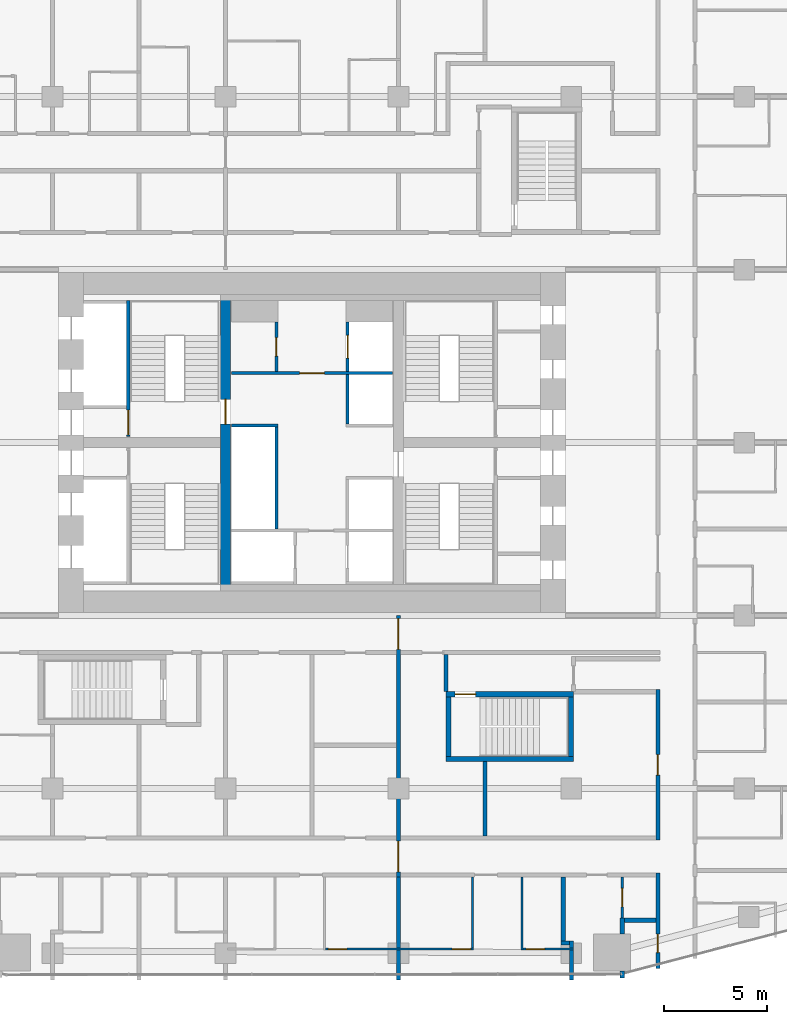
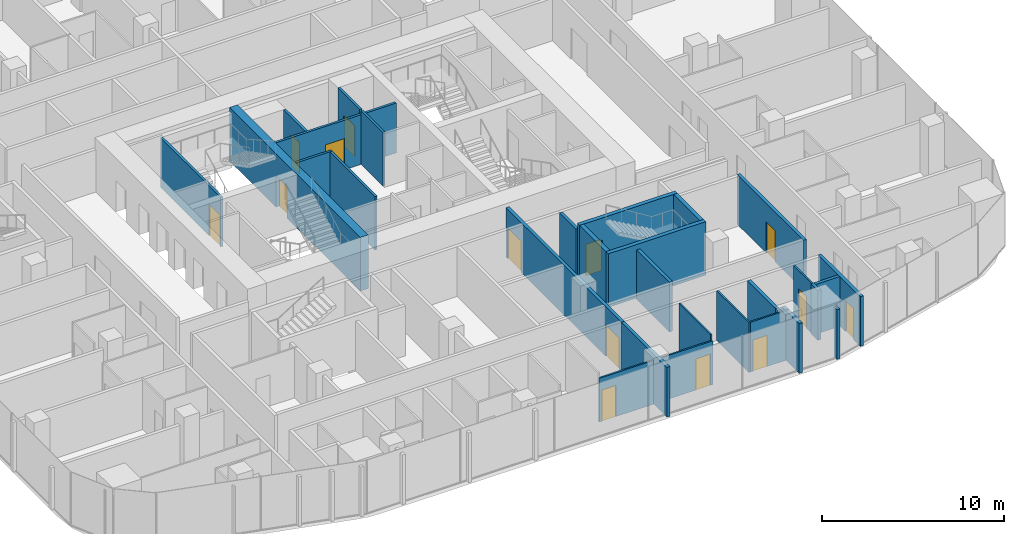
# One storey, part 19 of 26: 29 walls, 14 doors, 14 openings.
"""IFC4 building model written with IfcOpenShell, lengths in metres."""

import ifcopenshell
import ifcopenshell.guid

model = None  # the IFC model being written
_history = None  # IfcOwnerHistory: only IFC2X3 demands one
_inside = {}  # id of a spatial element -> (the spatial element, [elements in it])
_under = {}  # id of a project, library or spatial element -> (it, [spatial elements below it])
_declared = {}  # id of a project -> (the project, [libraries it declares])
_typed = {}  # id of a type object -> (the type object, [elements of that type])
_made_of = {}  # id of a material, layer set ... -> (it, [elements and type objects made of it])


def new_model(schema):
    """Start an empty IFC model of exactly this schema.

    Asked for "IFC4X3", IfcOpenShell would pick the latest addendum, in which some entities
    have other attributes; the version numbers below select the first issue.
    IFC2X3 requires an IfcOwnerHistory on every rooted entity: one is made here for all.
    """
    global model, _history
    if schema == "IFC4X3":
        model = ifcopenshell.file(schema_version=(4, 3, 0, 0))
    else:
        model = ifcopenshell.file(schema=schema)
    _inside.clear()
    _under.clear()
    _declared.clear()
    _typed.clear()
    _made_of.clear()
    _history = None
    if model.schema == "IFC2X3":
        org = make("IfcOrganization", Name="unknown")
        user = make(
            "IfcPersonAndOrganization",
            ThePerson=make("IfcPerson", FamilyName="unknown"),
            TheOrganization=org,
        )
        app = make(
            "IfcApplication",
            ApplicationDeveloper=org,
            Version="unknown",
            ApplicationFullName="unknown",
            ApplicationIdentifier="unknown",
        )
        _history = make(
            "IfcOwnerHistory",
            OwningUser=user,
            OwningApplication=app,
            ChangeAction="ADDED",
            CreationDate=0,
        )
    return model


def make(cls, **values):
    """One entity of the class cls with the attributes given. An attribute that is None is left unset."""
    return model.create_entity(
        cls, **{name: value for name, value in values.items() if value is not None}
    )


def rooted(cls, **values):
    """An entity with a GlobalId (a new one), such as an element, a storey or a relation."""
    return make(cls, GlobalId=ifcopenshell.guid.new(), OwnerHistory=_history, **values)


def si_unit(unit_type, name, prefix=None):
    """IfcSIUnit, for example si_unit("LENGTHUNIT", "METRE", prefix="MILLI")."""
    return make("IfcSIUnit", UnitType=unit_type, Prefix=prefix, Name=name)


def assignment(units):
    """IfcUnitAssignment: the units of a project."""
    return None if units is None else make("IfcUnitAssignment", Units=units)


def point(xyz):
    """IfcCartesianPoint."""
    return None if xyz is None else make("IfcCartesianPoint", Coordinates=xyz)


def direction(xyz):
    """IfcDirection."""
    return None if xyz is None else make("IfcDirection", DirectionRatios=xyz)


def frame(location, z_axis=None, x_axis=None):
    """IfcAxis2Placement3D, a coordinate frame: its origin and axes. An axis left out is left unset."""
    return make(
        "IfcAxis2Placement3D",
        Location=point(location),
        Axis=direction(z_axis),
        RefDirection=direction(x_axis),
    )


def frame_2d(location, x_axis=None):
    """IfcAxis2Placement2D, a coordinate frame in the plane: its origin and x axis."""
    return make(
        "IfcAxis2Placement2D", Location=point(location), RefDirection=direction(x_axis)
    )


def origin():
    """The frame at (0, 0, 0) with its axes left unset."""
    return frame((0.0, 0.0, 0.0))


def place(relative_to, where):
    """IfcLocalPlacement: puts the frame where relative to a parent placement (None: the world)."""
    return make(
        "IfcLocalPlacement", PlacementRelTo=relative_to, RelativePlacement=where
    )


def context(
    kind, dimensions, precision=None, world=None, true_north=None, identifier=None
):
    """IfcGeometricRepresentationContext, for example the 3D "Model" context."""
    return make(
        "IfcGeometricRepresentationContext",
        ContextIdentifier=identifier,
        ContextType=kind,
        CoordinateSpaceDimension=dimensions,
        Precision=precision,
        WorldCoordinateSystem=world,
        TrueNorth=true_north,
    )


def subcontext(parent, identifier, kind, view, scale=None):
    """IfcGeometricRepresentationSubContext, for example "Body" below "Model"."""
    return make(
        "IfcGeometricRepresentationSubContext",
        ContextIdentifier=identifier,
        ContextType=kind,
        ParentContext=parent,
        TargetScale=scale,
        TargetView=view,
    )


def project(units=None, contexts=None):
    """IfcProject with its units and contexts."""
    return rooted(
        "IfcProject",
        Name="project",
        RepresentationContexts=contexts,
        UnitsInContext=assignment(units),
    )


def spatial(cls, under=None, at=None, **own):
    """A site, building, storey or space (cls), placed at a placement, below another one or the project."""
    s = rooted(cls, ObjectPlacement=at, **own)
    if under is not None:
        _under.setdefault(under.id(), (under, []))[1].append(s)
    return s


def profile(cls, at=None, kind="AREA", **sizes):
    """A parametric profile (cls). Its sizes go by their IFC names, for example OverallWidth=200.0."""
    return make(cls, ProfileType=kind, Position=at, **sizes)


def rectangle(**sizes):
    """IfcRectangleProfileDef."""
    return profile("IfcRectangleProfileDef", **sizes)


def extrude(swept, where, along, depth):
    """IfcExtrudedAreaSolid: the profile swept, set in the frame where, extruded along a direction by depth."""
    return make(
        "IfcExtrudedAreaSolid",
        SweptArea=swept,
        Position=where,
        ExtrudedDirection=direction(along),
        Depth=depth,
    )


def shape(context_of_items, identifier, shape_type, items):
    """IfcShapeRepresentation: the items that make up one representation, for example the "Body"."""
    return make(
        "IfcShapeRepresentation",
        ContextOfItems=context_of_items,
        RepresentationIdentifier=identifier,
        RepresentationType=shape_type,
        Items=items,
    )


def material(Name=None, Category=None):
    """IfcMaterial."""
    return make("IfcMaterial", Name=Name, Category=Category)


def layer(
    of_material, thickness, ventilated=None, Name=None, Category=None, Priority=None
):
    """IfcMaterialLayer: one layer of a wall or slab, of a material (None: an air gap)."""
    return make(
        "IfcMaterialLayer",
        Material=of_material,
        LayerThickness=thickness,
        IsVentilated=ventilated,
        Name=Name,
        Category=Category,
        Priority=Priority,
    )


def layer_set(layers, Name=None):
    """IfcMaterialLayerSet."""
    return make("IfcMaterialLayerSet", MaterialLayers=layers, LayerSetName=Name)


def made_of(thing, what):
    """Note that an element or type object is made of a material, layer set ...; save() writes the relation."""
    if what is not None:
        _made_of.setdefault(what.id(), (what, []))[1].append(thing)
    return thing


def type_object(cls, material=None, **own):
    """A type object (cls), such as IfcWallType, which elements share."""
    return made_of(rooted(cls, **own), material)


def element(
    cls,
    number,
    at=None,
    inside=None,
    cuts=None,
    type_object=None,
    material=None,
    context=None,
    identifier="Body",
    shape_type=None,
    held_by="IfcProductDefinitionShape",
    body=None,
    shapes=None,
    **own,
):
    """One element of the class cls, such as IfcWall. Its Tag is "e" and its number.

    at: its placement. inside: the storey or other place that contains it. cuts: it is an
    opening in that element (IfcRelVoidsElement). A single representation is given by context,
    identifier, shape_type and body (its items); several are given by shapes. held_by: the class
    of the entity that holds the representations. save() writes the other relations.
    """
    e = rooted(cls, Tag="e%d" % number, ObjectPlacement=at, **own)
    if body is not None:
        shapes = [shape(context, identifier, shape_type, body)]
    if shapes is not None:
        e.Representation = make(held_by, Representations=shapes)
    if inside is not None:
        _inside.setdefault(inside.id(), (inside, []))[1].append(e)
    if cuts is not None:
        rooted(
            "IfcRelVoidsElement", RelatingBuildingElement=cuts, RelatedOpeningElement=e
        )
    if type_object is not None:
        _typed.setdefault(type_object.id(), (type_object, []))[1].append(e)
    return made_of(e, material)


def fill(opening, filler):
    """IfcRelFillsElement: the door or window that sits in an opening."""
    return rooted(
        "IfcRelFillsElement",
        RelatingOpeningElement=opening,
        RelatedBuildingElement=filler,
    )


def aggregate(whole, parts):
    """IfcRelAggregates: a whole, such as a stair, and the parts it consists of."""
    return rooted("IfcRelAggregates", RelatingObject=whole, RelatedObjects=parts)


def save(model, path):
    """Write the relations noted so far, then the file.

    IfcRelAggregates (storeys below a building ...), IfcRelContainedInSpatialStructure (elements
    in a storey), IfcRelDefinesByType, IfcRelAssociatesMaterial and IfcRelDeclares: one each for
    every whole, place, type object, material and project.
    """
    for whole, parts in _under.values():
        aggregate(whole, parts)
    for where, things in _inside.values():
        rooted(
            "IfcRelContainedInSpatialStructure",
            RelatedElements=things,
            RelatingStructure=where,
        )
    for kind, things in _typed.values():
        rooted("IfcRelDefinesByType", RelatedObjects=things, RelatingType=kind)
    for what, things in _made_of.values():
        rooted("IfcRelAssociatesMaterial", RelatedObjects=things, RelatingMaterial=what)
    for by, libraries in _declared.values():
        rooted("IfcRelDeclares", RelatingContext=by, RelatedDefinitions=libraries)
    model.write(path)


model = new_model("IFC4")

# Units and contexts
model_context = context("Model", 3, precision=1e-05, world=origin(), true_north=direction((0.0, 1.0)))
body_context = subcontext(model_context, "Body", "Model", "MODEL_VIEW")
ifc_project = project(units=[si_unit("LENGTHUNIT", "METRE"), si_unit("AREAUNIT", "SQUARE_METRE"), si_unit("VOLUMEUNIT", "CUBIC_METRE"), si_unit("PLANEANGLEUNIT", "RADIAN"), si_unit("MASSUNIT", "GRAM", prefix="KILO")], contexts=[model_context])

# Site, building, storey
site_placement = place(None, origin())
site = spatial("IfcSite", under=ifc_project, at=site_placement, CompositionType="ELEMENT")
building_placement = place(site_placement, origin())
building = spatial("IfcBuilding", under=site, at=building_placement, Name="Marenta Gate Hotel Tower", CompositionType="ELEMENT")
storey_placement = place(building_placement, frame((0.0, 0.0, 58.10009765625)))
storey = spatial("IfcBuildingStorey", under=building, at=storey_placement, Name="L12", CompositionType="ELEMENT", Elevation=58.10009765625)

# Wall
ifc_material_1 = material(Name="Concrete blockwork", Category="masonry")
ifc_layer_1 = layer(ifc_material_1, 0.199951171875)
ifc_layer_set_1 = layer_set([ifc_layer_1], Name="Concrete blockwork")
wall_type_1 = type_object("IfcWallType", Name="Compartment wall 200 REI 180", PredefinedType="PARTITIONING", material=ifc_layer_set_1)
wall_1_placement = place(storey_placement, frame((4.199951171875, -17.699951171875, 0.0), z_axis=(0.0, 0.0, 1.0), x_axis=(0.0, 1.0, 0.0)))
element("IfcWall", 1, at=wall_1_placement, inside=storey, type_object=wall_type_1, Name="L12-PTN-W052", PredefinedType="PARTITIONING", context=body_context, shape_type="SweptSolid", body=[
    extrude(rectangle(XDim=5.0, YDim=0.199951171875, at=frame_2d((2.5, 0.0))), origin(), (0.0, 0.0, 1.0), 3.33984375),
])

# Wall, openings, doors
wall_2_placement = place(storey_placement, frame((4.199951171875, -12.699951171875, 0.0), z_axis=(0.0, 0.0, 1.0), x_axis=(0.0, 1.0, 0.0)))
wall_2 = element("IfcWall", 2, at=wall_2_placement, inside=storey, type_object=wall_type_1, Name="L12-PTN-W053", PredefinedType="PARTITIONING", context=body_context, shape_type="SweptSolid", body=[
    extrude(rectangle(XDim=12.699951171875, YDim=0.199951171875, at=frame_2d((6.35009765625, 0.0))), origin(), (0.0, 0.0, 1.0), 3.33984375),
])
opening_1_placement = place(wall_2_placement, frame((11.050048828125, 0.0, 0.0)))
opening_1 = element("IfcOpeningElement", 3, at=opening_1_placement, cuts=wall_2, Name="Opening G04-FD3", PredefinedType="OPENING", context=body_context, shape_type="SweptSolid", body=[
    extrude(rectangle(XDim=1.5, YDim=2.10009765625, at=frame_2d((0.75, 1.050048828125))), frame((0.0, 0.10009765625, 0.0), z_axis=(0.0, -1.0, 0.0), x_axis=(1.0, 0.0, 0.0)), (0.0, 0.0, 1.0), 0.199951171875),
])
opening_2_placement = place(wall_2_placement, frame((0.25, 0.0, 0.0)))
opening_2 = element("IfcOpeningElement", 4, at=opening_2_placement, cuts=wall_2, Name="Opening G04-FD4", PredefinedType="OPENING", context=body_context, shape_type="SweptSolid", body=[
    extrude(rectangle(XDim=1.5, YDim=2.10009765625, at=frame_2d((0.75, 1.050048828125))), frame((0.0, 0.10009765625, 0.0), z_axis=(0.0, -1.0, 0.0), x_axis=(1.0, 0.0, 0.0)), (0.0, 0.0, 1.0), 0.199951171875),
])
ifc_material_2 = material(Name="Hollow steel door set", Category="steel")
door_type_1 = type_object("IfcDoorType", Name="Compartment fire door 1500x2100 EI 60", OperationType="DOUBLE_DOOR_DOUBLE_SWING", PredefinedType="DOOR", material=ifc_material_2)
door_1_placement = place(opening_1_placement, origin())
door_1 = element("IfcDoor", 5, at=door_1_placement, inside=storey, type_object=door_type_1, Name="L12-PD-FD03", OperationType="DOUBLE_DOOR_DOUBLE_SWING", OverallHeight=2.10009765625, OverallWidth=1.5, PredefinedType="DOOR", context=body_context, shape_type="SweptSolid", body=[
    extrude(rectangle(XDim=1.5, YDim=2.10009765625, at=frame_2d((0.75, 1.050048828125))), frame((0.0, 0.02490234375, 0.0), z_axis=(0.0, -1.0, 0.0), x_axis=(1.0, 0.0, 0.0)), (0.0, 0.0, 1.0), 0.050048828125),
])
fill(opening_1, door_1)
door_2_placement = place(opening_2_placement, origin())
door_2 = element("IfcDoor", 6, at=door_2_placement, inside=storey, type_object=door_type_1, Name="L12-PD-FD04", OperationType="DOUBLE_DOOR_DOUBLE_SWING", OverallHeight=2.10009765625, OverallWidth=1.5, PredefinedType="DOOR", context=body_context, shape_type="SweptSolid", body=[
    extrude(rectangle(XDim=1.5, YDim=2.10009765625, at=frame_2d((0.75, 1.050048828125))), frame((0.0, 0.02490234375, 0.0), z_axis=(0.0, -1.0, 0.0), x_axis=(1.0, 0.0, 0.0)), (0.0, 0.0, 1.0), 0.050048828125),
])
fill(opening_2, door_2)

# Wall, opening, door
ifc_material_3 = material(Name="Concrete blockwork", Category="masonry")
ifc_layer_2 = layer(ifc_material_3, 0.14990234375)
ifc_layer_set_2 = layer_set([ifc_layer_2], Name="Concrete blockwork")
wall_type_2 = type_object("IfcWallType", Name="Core lobby partition 150 REI 180", PredefinedType="PARTITIONING", material=ifc_layer_set_2)
wall_3_placement = place(storey_placement, frame((-3.89990234375, 11.77490234375, 0.0), z_axis=(0.0, 0.0, 1.0), x_axis=(1.0, 0.0, 0.0)))
wall_3 = element("IfcWall", 7, at=wall_3_placement, inside=storey, type_object=wall_type_2, Name="L12-CP-CW-N", PredefinedType="PARTITIONING", context=body_context, shape_type="SweptSolid", body=[
    extrude(rectangle(XDim=7.7998046875, YDim=0.14990234375, at=frame_2d((3.89990234375, 0.0))), origin(), (0.0, 0.0, 1.0), 3.33984375),
])
opening_3_placement = place(wall_3_placement, frame((3.300048828125, 0.0, 0.0)))
opening_3 = element("IfcOpeningElement", 8, at=opening_3_placement, cuts=wall_3, Name="Opening FD-FFN", PredefinedType="OPENING", context=body_context, shape_type="SweptSolid", body=[
    extrude(rectangle(XDim=1.199951171875, YDim=2.10009765625, at=frame_2d((0.60009765625, 1.050048828125))), frame((0.0, 0.074951171875, 0.0), z_axis=(0.0, -1.0, 0.0), x_axis=(1.0, 0.0, 0.0)), (0.0, 0.0, 1.0), 0.14990234375),
])
ifc_material_4 = material(Name="Steel", Category="steel")
door_type_2 = type_object("IfcDoorType", Name="Core lobby door 1200x2100 FD60", OperationType="SINGLE_SWING_LEFT", PredefinedType="DOOR", material=ifc_material_4)
door_3_placement = place(opening_3_placement, origin())
door_3 = element("IfcDoor", 9, at=door_3_placement, inside=storey, type_object=door_type_2, Name="FD-FFN", OperationType="SINGLE_SWING_LEFT", OverallHeight=2.10009765625, OverallWidth=1.199951171875, PredefinedType="DOOR", context=body_context, shape_type="SweptSolid", body=[
    extrude(rectangle(XDim=1.199951171875, YDim=2.10009765625, at=frame_2d((0.60009765625, 1.050048828125))), frame((0.0, 0.02490234375, 0.0), z_axis=(0.0, -1.0, 0.0), x_axis=(1.0, 0.0, 0.0)), (0.0, 0.0, 1.0), 0.050048828125),
])
fill(opening_3, door_3)

ifc_material_5 = material(Name="Concrete blockwork", Category="masonry")
ifc_layer_3 = layer(ifc_material_5, 0.14990234375)
ifc_layer_set_3 = layer_set([ifc_layer_3], Name="Concrete blockwork")
wall_type_3 = type_object("IfcWallType", Name="Core room partition 150 REI 180", PredefinedType="PARTITIONING", material=ifc_layer_set_3)
wall_4_placement = place(storey_placement, frame((-1.72509765625, 11.85009765625, 0.0), z_axis=(0.0, 0.0, 1.0), x_axis=(0.0, 1.0, 0.0)))
wall_4 = element("IfcWall", 10, at=wall_4_placement, inside=storey, type_object=wall_type_3, Name="L12-CP-CW-W-riser-front", PredefinedType="PARTITIONING", context=body_context, shape_type="SweptSolid", body=[
    extrude(rectangle(XDim=2.39990234375, YDim=0.14990234375, at=frame_2d((1.199951171875, 0.0))), origin(), (0.0, 0.0, 1.0), 3.33984375),
])
opening_4_placement = place(wall_4_placement, frame((0.75, 0.0, 0.0)))
opening_4 = element("IfcOpeningElement", 11, at=opening_4_placement, cuts=wall_4, Name="Opening RD-CRISER", PredefinedType="OPENING", context=body_context, shape_type="SweptSolid", body=[
    extrude(rectangle(XDim=0.89990234375, YDim=2.10009765625, at=frame_2d((0.449951171875, 1.050048828125))), frame((0.0, 0.074951171875, 0.0), z_axis=(0.0, -1.0, 0.0), x_axis=(1.0, 0.0, 0.0)), (0.0, 0.0, 1.0), 0.14990234375),
])
ifc_material_6 = material(Name="Steel", Category="steel")
door_type_3 = type_object("IfcDoorType", Name="Core riser door 900x2100 FD60", OperationType="SINGLE_SWING_LEFT", PredefinedType="DOOR", material=ifc_material_6)
door_4_placement = place(opening_4_placement, origin())
door_4 = element("IfcDoor", 12, at=door_4_placement, inside=storey, type_object=door_type_3, Name="RD-CRISER", OperationType="SINGLE_SWING_LEFT", OverallHeight=2.10009765625, OverallWidth=0.89990234375, PredefinedType="DOOR", context=body_context, shape_type="SweptSolid", body=[
    extrude(rectangle(XDim=0.89990234375, YDim=2.10009765625, at=frame_2d((0.449951171875, 1.050048828125))), frame((0.0, 0.02490234375, 0.0), z_axis=(0.0, -1.0, 0.0), x_axis=(1.0, 0.0, 0.0)), (0.0, 0.0, 1.0), 0.050048828125),
])
fill(opening_4, door_4)

# Walls
ifc_material_7 = material(Name="Concrete C40", Category="concrete")
ifc_layer_4 = layer(ifc_material_7, 0.14990234375)
ifc_layer_set_4 = layer_set([ifc_layer_4], Name="Concrete C40")
wall_type_4 = type_object("IfcWallType", Name="Core shaft wall 150 REI 180", PredefinedType="SHEAR", material=ifc_layer_set_4)
wall_5_placement = place(storey_placement, frame((-1.72509765625, 4.199951171875, 0.0), z_axis=(0.0, 0.0, 1.0), x_axis=(0.0, 1.0, 0.0)))
element("IfcWall", 13, at=wall_5_placement, inside=storey, type_object=wall_type_4, Name="L12-SHF-CW-W-front", PredefinedType="SHEAR", context=body_context, shape_type="SweptSolid", body=[
    extrude(rectangle(XDim=4.949951171875, YDim=0.14990234375, at=frame_2d((2.47509765625, 0.0))), origin(), (0.0, 0.0, 1.0), 3.599853515625),
])
wall_6_placement = place(storey_placement, frame((-3.89990234375, 9.22509765625, 0.0), z_axis=(0.0, 0.0, 1.0), x_axis=(1.0, 0.0, 0.0)))
element("IfcWall", 14, at=wall_6_placement, inside=storey, type_object=wall_type_4, Name="L12-SHF-CW-W-sep", PredefinedType="SHEAR", context=body_context, shape_type="SweptSolid", body=[
    extrude(rectangle(XDim=2.25, YDim=0.14990234375, at=frame_2d((1.125, 0.0))), origin(), (0.0, 0.0, 1.0), 3.599853515625),
])

# Wall, opening, door
wall_7_placement = place(storey_placement, frame((1.72509765625, 11.85009765625, 0.0), z_axis=(0.0, 0.0, 1.0), x_axis=(0.0, 1.0, 0.0)))
wall_7 = element("IfcWall", 15, at=wall_7_placement, inside=storey, type_object=wall_type_4, Name="L12-SHF-CE-N-front2", PredefinedType="SHEAR", context=body_context, shape_type="SweptSolid", body=[
    extrude(rectangle(XDim=2.39990234375, YDim=0.14990234375, at=frame_2d((1.199951171875, 0.0))), origin(), (0.0, 0.0, 1.0), 3.599853515625),
])
opening_5_placement = place(wall_7_placement, frame((0.64990234375, 0.0, 0.0)))
opening_5 = element("IfcOpeningElement", 16, at=opening_5_placement, cuts=wall_7, Name="Opening LD-FF2", PredefinedType="OPENING", context=body_context, shape_type="SweptSolid", body=[
    extrude(rectangle(XDim=1.10009765625, YDim=2.10009765625, at=frame_2d((0.550048828125, 1.050048828125))), frame((0.0, 0.074951171875, 0.0), z_axis=(0.0, -1.0, 0.0), x_axis=(1.0, 0.0, 0.0)), (0.0, 0.0, 1.0), 0.14990234375),
])
ifc_material_8 = material(Name="Steel", Category="steel")
door_type_4 = type_object("IfcDoorType", Name="Core lift landing door 1100x2100 E 60", OperationType="SLIDING_TO_LEFT", PredefinedType="DOOR", material=ifc_material_8)
door_5_placement = place(opening_5_placement, origin())
door_5 = element("IfcDoor", 17, at=door_5_placement, inside=storey, type_object=door_type_4, Name="LD-FF2", OperationType="SLIDING_TO_LEFT", OverallHeight=2.10009765625, OverallWidth=1.10009765625, PredefinedType="DOOR", context=body_context, shape_type="SweptSolid", body=[
    extrude(rectangle(XDim=1.10009765625, YDim=2.10009765625, at=frame_2d((0.550048828125, 1.050048828125))), frame((0.0, 0.02490234375, 0.0), z_axis=(0.0, -1.0, 0.0), x_axis=(1.0, 0.0, 0.0)), (0.0, 0.0, 1.0), 0.050048828125),
])
fill(opening_5, door_5)

# Wall
wall_8_placement = place(storey_placement, frame((1.72509765625, 9.300048828125, 0.0), z_axis=(0.0, 0.0, 1.0), x_axis=(0.0, 1.0, 0.0)))
element("IfcWall", 18, at=wall_8_placement, inside=storey, type_object=wall_type_4, Name="L12-SHF-CE-front-2", PredefinedType="SHEAR", context=body_context, shape_type="SweptSolid", body=[
    extrude(rectangle(XDim=2.39990234375, YDim=0.14990234375, at=frame_2d((1.199951171875, 0.0))), origin(), (0.0, 0.0, 1.0), 3.599853515625),
])

# Wall, opening, door
ifc_material_9 = material(Name="Concrete C40", Category="concrete")
ifc_layer_5 = layer(ifc_material_9, 0.14990234375)
ifc_layer_set_5 = layer_set([ifc_layer_5], Name="Concrete C40")
wall_type_5 = type_object("IfcWallType", Name="Core stair enclosure wall 150 REI 180", PredefinedType="SHEAR", material=ifc_layer_set_5)
wall_9_placement = place(storey_placement, frame((-8.925048828125, 8.699951171875, 0.0), z_axis=(0.0, 0.0, 1.0), x_axis=(0.0, 1.0, 0.0)))
wall_9 = element("IfcWall", 19, at=wall_9_placement, inside=storey, type_object=wall_type_5, Name="L12-SHF-SW-WN-3", PredefinedType="SHEAR", context=body_context, shape_type="SweptSolid", body=[
    extrude(rectangle(XDim=6.60009765625, YDim=0.14990234375, at=frame_2d((3.300048828125, 0.0))), origin(), (0.0, 0.0, 1.0), 3.33984375),
])
opening_6_placement = place(wall_9_placement, frame((0.074951171875, 0.0, 0.0)))
opening_6 = element("IfcOpeningElement", 20, at=opening_6_placement, cuts=wall_9, Name="Opening SD-WN", PredefinedType="OPENING", context=body_context, shape_type="SweptSolid", body=[
    extrude(rectangle(XDim=1.199951171875, YDim=2.10009765625, at=frame_2d((0.60009765625, 1.050048828125))), frame((0.0, 0.074951171875, 0.0), z_axis=(0.0, -1.0, 0.0), x_axis=(1.0, 0.0, 0.0)), (0.0, 0.0, 1.0), 0.14990234375),
])
ifc_material_10 = material(Name="Steel", Category="steel")
door_type_5 = type_object("IfcDoorType", Name="Core stair door 1200x2100 FD60", OperationType="SINGLE_SWING_LEFT", PredefinedType="DOOR", material=ifc_material_10)
door_6_placement = place(opening_6_placement, origin())
door_6 = element("IfcDoor", 21, at=door_6_placement, inside=storey, type_object=door_type_5, Name="SD-WN", OperationType="SINGLE_SWING_LEFT", OverallHeight=2.10009765625, OverallWidth=1.199951171875, PredefinedType="DOOR", context=body_context, shape_type="SweptSolid", body=[
    extrude(rectangle(XDim=1.199951171875, YDim=2.10009765625, at=frame_2d((0.60009765625, 1.050048828125))), frame((0.0, 0.02490234375, 0.0), z_axis=(0.0, -1.0, 0.0), x_axis=(1.0, 0.0, 0.0)), (0.0, 0.0, 1.0), 0.050048828125),
])
fill(opening_6, door_6)

ifc_material_11 = material(Name="Concrete C80", Category="concrete")
ifc_layer_6 = layer(ifc_material_11, 0.5)
ifc_layer_set_6 = layer_set([ifc_layer_6], Name="Concrete C80")
wall_type_6 = type_object("IfcWallType", Name="Core web 500 C80", PredefinedType="SHEAR", material=ifc_layer_set_6)
wall_10_placement = place(storey_placement, frame((-4.199951171875, 1.199951171875, 0.0), z_axis=(0.0, 0.0, 1.0), x_axis=(0.0, 1.0, 0.0)))
wall_10 = element("IfcWall", 22, at=wall_10_placement, inside=storey, type_object=wall_type_6, Name="L12-CORE-W1", PredefinedType="SHEAR", context=body_context, shape_type="SweptSolid", body=[
    extrude(rectangle(XDim=14.400146484375, YDim=0.5, at=frame_2d((7.2001953125, 0.0))), origin(), (0.0, 0.0, 1.0), 3.599853515625),
])
opening_7_placement = place(wall_10_placement, frame((8.10009765625, 0.0, 0.0)))
opening_7 = element("IfcOpeningElement", 23, at=opening_7_placement, cuts=wall_10, Name="Opening WD-W", PredefinedType="OPENING", context=body_context, shape_type="SweptSolid", body=[
    extrude(rectangle(XDim=1.199951171875, YDim=2.10009765625, at=frame_2d((0.60009765625, 1.050048828125))), frame((0.0, 0.25, 0.0), z_axis=(0.0, -1.0, 0.0), x_axis=(1.0, 0.0, 0.0)), (0.0, 0.0, 1.0), 0.5),
])
door_7_placement = place(opening_7_placement, origin())
door_7 = element("IfcDoor", 24, at=door_7_placement, inside=storey, type_object=door_type_5, Name="WD-W", OperationType="SINGLE_SWING_LEFT", OverallHeight=2.10009765625, OverallWidth=1.199951171875, PredefinedType="DOOR", context=body_context, shape_type="SweptSolid", body=[
    extrude(rectangle(XDim=1.199951171875, YDim=2.10009765625, at=frame_2d((0.60009765625, 1.050048828125))), frame((0.0, 0.02490234375, 0.0), z_axis=(0.0, -1.0, 0.0), x_axis=(1.0, 0.0, 0.0)), (0.0, 0.0, 1.0), 0.050048828125),
])
fill(opening_7, door_7)

# Wall
ifc_material_12 = material(Name="Concrete C40", Category="concrete")
ifc_layer_7 = layer(ifc_material_12, 0.25)
ifc_layer_set_7 = layer_set([ifc_layer_7], Name="Concrete C40")
wall_type_7 = type_object("IfcWallType", Name="Remote stair enclosure wall 250 REI 180", PredefinedType="SHEAR", material=ifc_layer_set_7)
wall_11_placement = place(storey_placement, frame((6.5, -6.97509765625, 0.099853515625), z_axis=(0.0, 0.0, 1.0), x_axis=(1.0, 0.0, 0.0)))
element("IfcWall", 25, at=wall_11_placement, inside=storey, type_object=wall_type_7, Name="L12-RS-Z1-1-W1", PredefinedType="SHEAR", context=body_context, shape_type="SweptSolid", body=[
    extrude(rectangle(XDim=6.199951171875, YDim=0.25, at=frame_2d((3.10009765625, 0.0))), origin(), (0.0, 0.0, 1.0), 3.60009765625),
])

# Wall, opening, door
wall_12_placement = place(storey_placement, frame((6.5, -3.824951171875, 0.099853515625), z_axis=(0.0, 0.0, 1.0), x_axis=(1.0, 0.0, 0.0)))
wall_12 = element("IfcWall", 26, at=wall_12_placement, inside=storey, type_object=wall_type_7, Name="L12-RS-Z1-1-W2", PredefinedType="SHEAR", context=body_context, shape_type="SweptSolid", body=[
    extrude(rectangle(XDim=6.199951171875, YDim=0.25, at=frame_2d((3.10009765625, 0.0))), origin(), (0.0, 0.0, 1.0), 3.60009765625),
])
opening_8_placement = place(wall_12_placement, frame((0.449951171875, 0.0, 0.0)))
opening_8 = element("IfcOpeningElement", 27, at=opening_8_placement, cuts=wall_12, Name="Opening VD", PredefinedType="OPENING", context=body_context, shape_type="SweptSolid", body=[
    extrude(rectangle(XDim=1.0, YDim=2.10009765625, at=frame_2d((0.5, 1.050048828125))), frame((0.0, 0.125, 0.0), z_axis=(0.0, -1.0, 0.0), x_axis=(1.0, 0.0, 0.0)), (0.0, 0.0, 1.0), 0.25),
])
ifc_material_13 = material(Name="Steel", Category="steel")
door_type_6 = type_object("IfcDoorType", Name="Stair vestibule door 1000x2100 FD60", OperationType="SINGLE_SWING_LEFT", PredefinedType="DOOR", material=ifc_material_13)
door_8_placement = place(opening_8_placement, origin())
door_8 = element("IfcDoor", 28, at=door_8_placement, inside=storey, type_object=door_type_6, Name="VD", OperationType="SINGLE_SWING_LEFT", OverallHeight=2.10009765625, OverallWidth=1.0, PredefinedType="DOOR", context=body_context, shape_type="SweptSolid", body=[
    extrude(rectangle(XDim=1.0, YDim=2.10009765625, at=frame_2d((0.5, 1.050048828125))), frame((0.0, 0.02490234375, 0.0), z_axis=(0.0, -1.0, 0.0), x_axis=(1.0, 0.0, 0.0)), (0.0, 0.0, 1.0), 0.050048828125),
])
fill(opening_8, door_8)

# Walls
for number, where, z_axis, x_axis, name in (
    (29, (6.625, -6.85009765625, 0.099853515625), (0.0, 0.0, 1.0), (0.0, 1.0, 0.0), "L12-RS-Z1-1-W3"),
    (30, (12.574951171875, -6.85009765625, 0.099853515625), (0.0, 0.0, 1.0), (0.0, 1.0, 0.0), "L12-RS-Z1-1-W4"),
):
    element("IfcWall", number, at=place(storey_placement, frame(where, z_axis=z_axis, x_axis=x_axis)), inside=storey, type_object=wall_type_7, Name=name, PredefinedType="SHEAR", context=body_context, shape_type="SweptSolid", body=[
        extrude(rectangle(XDim=2.900146484375, YDim=0.25, at=frame_2d((1.4501953125, 0.0))), origin(), (0.0, 0.0, 1.0), 3.60009765625),
    ])

# Wall, opening, door
ifc_material_14 = material(Name="Concrete blockwork", Category="masonry")
ifc_layer_8 = layer(ifc_material_14, 0.199951171875)
ifc_layer_set_8 = layer_set([ifc_layer_8], Name="Concrete blockwork")
wall_type_8 = type_object("IfcWallType", Name="Room corridor wall 200 EI 120", PredefinedType="PARTITIONING", material=ifc_layer_set_8)
wall_13_placement = place(storey_placement, frame((16.800048828125, -17.14306640625, 0.0), z_axis=(0.0, 0.0, 1.0), x_axis=(0.0, 1.0, 0.0)))
wall_13 = element("IfcWall", 31, at=wall_13_placement, inside=storey, type_object=wall_type_8, Name="L12-PTN-W010", PredefinedType="PARTITIONING", context=body_context, shape_type="SweptSolid", body=[
    extrude(rectangle(XDim=4.64306640625, YDim=0.199951171875, at=frame_2d((2.321533203125, 0.0))), origin(), (0.0, 0.0, 1.0), 3.33984375),
])
opening_9_placement = place(wall_13_placement, frame((0.77099609375, 0.0, 0.0)))
opening_9 = element("IfcOpeningElement", 32, at=opening_9_placement, cuts=wall_13, Name="Opening G04-85", PredefinedType="OPENING", context=body_context, shape_type="SweptSolid", body=[
    extrude(rectangle(XDim=0.89990234375, YDim=2.10009765625, at=frame_2d((0.449951171875, 1.050048828125))), frame((0.0, 0.10009765625, 0.0), z_axis=(0.0, -1.0, 0.0), x_axis=(1.0, 0.0, 0.0)), (0.0, 0.0, 1.0), 0.199951171875),
])
ifc_material_15 = material(Name="Hollow steel door set", Category="steel")
door_type_7 = type_object("IfcDoorType", Name="Room service door 900x2100 EI 60", OperationType="NOTDEFINED", PredefinedType="DOOR", material=ifc_material_15)
door_9_placement = place(opening_9_placement, origin())
door_9 = element("IfcDoor", 33, at=door_9_placement, inside=storey, type_object=door_type_7, Name="L12-PD-D085", OperationType="SINGLE_SWING_RIGHT", OverallHeight=2.10009765625, OverallWidth=0.89990234375, PredefinedType="DOOR", context=body_context, shape_type="SweptSolid", body=[
    extrude(rectangle(XDim=0.89990234375, YDim=2.10009765625, at=frame_2d((0.449951171875, 1.050048828125))), frame((0.0, 0.02490234375, 0.0), z_axis=(0.0, -1.0, 0.0), x_axis=(1.0, 0.0, 0.0)), (0.0, 0.0, 1.0), 0.050048828125),
])
fill(opening_9, door_9)

ifc_material_16 = material(Name="Gypsum board on steel stud", Category="steel")
ifc_layer_9 = layer(ifc_material_16, 0.199951171875)
ifc_layer_set_9 = layer_set([ifc_layer_9], Name="Gypsum board on steel stud")
wall_type_9 = type_object("IfcWallType", Name="Room corridor wall 200 EI 60", PredefinedType="PARTITIONING", material=ifc_layer_set_9)
wall_14_placement = place(storey_placement, frame((16.800048828125, -10.89990234375, 0.0), z_axis=(0.0, 0.0, 1.0), x_axis=(0.0, 1.0, 0.0)))
wall_14 = element("IfcWall", 34, at=wall_14_placement, inside=storey, type_object=wall_type_9, Name="L12-PTN-W011", PredefinedType="PARTITIONING", context=body_context, shape_type="SweptSolid", body=[
    extrude(rectangle(XDim=7.2998046875, YDim=0.199951171875, at=frame_2d((3.64990234375, 0.0))), origin(), (0.0, 0.0, 1.0), 3.33984375),
])
opening_10_placement = place(wall_14_placement, frame((3.14990234375, 0.0, 0.0)))
opening_10 = element("IfcOpeningElement", 35, at=opening_10_placement, cuts=wall_14, Name="Opening G04-72", PredefinedType="OPENING", context=body_context, shape_type="SweptSolid", body=[
    extrude(rectangle(XDim=1.0, YDim=2.10009765625, at=frame_2d((0.5, 1.050048828125))), frame((0.0, 0.10009765625, 0.0), z_axis=(0.0, -1.0, 0.0), x_axis=(1.0, 0.0, 0.0)), (0.0, 0.0, 1.0), 0.199951171875),
])
ifc_material_17 = material(Name="Timber door leaf", Category="wood")
door_type_8 = type_object("IfcDoorType", Name="Room amenity door 1000x2100 EI 30", OperationType="NOTDEFINED", PredefinedType="DOOR", material=ifc_material_17)
door_10_placement = place(opening_10_placement, origin())
door_10 = element("IfcDoor", 36, at=door_10_placement, inside=storey, type_object=door_type_8, Name="L12-PD-D072", OperationType="SINGLE_SWING_RIGHT", OverallHeight=2.10009765625, OverallWidth=1.0, PredefinedType="DOOR", context=body_context, shape_type="SweptSolid", body=[
    extrude(rectangle(XDim=1.0, YDim=2.10009765625, at=frame_2d((0.5, 1.050048828125))), frame((0.0, 0.02490234375, 0.0), z_axis=(0.0, -1.0, 0.0), x_axis=(1.0, 0.0, 0.0)), (0.0, 0.0, 1.0), 0.050048828125),
])
fill(opening_10, door_10)

# Wall, openings, doors
ifc_material_18 = material(Name="Gypsum board on steel stud", Category="steel")
ifc_layer_10 = layer(ifc_material_18, 0.10009765625)
ifc_layer_set_10 = layer_set([ifc_layer_10], Name="Gypsum board on steel stud")
wall_type_10 = type_object("IfcWallType", Name="Room partition 100", PredefinedType="PARTITIONING", material=ifc_layer_set_10)
wall_15_placement = place(storey_placement, frame((0.64990234375, -16.199951171875, 0.0), z_axis=(0.0, 0.0, 1.0), x_axis=(1.0, 0.0, 0.0)))
wall_15 = element("IfcWall", 37, at=wall_15_placement, inside=storey, type_object=wall_type_10, Name="L12-PTN-W015", PredefinedType="PARTITIONING", context=body_context, shape_type="SweptSolid", body=[
    extrude(rectangle(XDim=7.2001953125, YDim=0.10009765625, at=frame_2d((3.60009765625, 0.0))), origin(), (0.0, 0.0, 1.0), 2.93994140625),
])
opening_11_placement = place(wall_15_placement, frame((0.14990234375, 0.0, 0.0)))
opening_11 = element("IfcOpeningElement", 38, at=opening_11_placement, cuts=wall_15, Name="Opening G04-45", PredefinedType="OPENING", context=body_context, shape_type="SweptSolid", body=[
    extrude(rectangle(XDim=0.89990234375, YDim=2.10009765625, at=frame_2d((0.449951171875, 1.050048828125))), frame((0.0, 0.050048828125, 0.0), z_axis=(0.0, -1.0, 0.0), x_axis=(1.0, 0.0, 0.0)), (0.0, 0.0, 1.0), 0.10009765625),
])
opening_12_placement = place(wall_15_placement, frame((6.14990234375, 0.0, 0.0)))
opening_12 = element("IfcOpeningElement", 39, at=opening_12_placement, cuts=wall_15, Name="Opening G04-48", PredefinedType="OPENING", context=body_context, shape_type="SweptSolid", body=[
    extrude(rectangle(XDim=0.89990234375, YDim=2.10009765625, at=frame_2d((0.449951171875, 1.050048828125))), frame((0.0, 0.050048828125, 0.0), z_axis=(0.0, -1.0, 0.0), x_axis=(1.0, 0.0, 0.0)), (0.0, 0.0, 1.0), 0.10009765625),
])
ifc_material_19 = material(Name="Timber door leaf", Category="wood")
door_type_9 = type_object("IfcDoorType", Name="Guest bathroom door 900x2100", OperationType="NOTDEFINED", PredefinedType="DOOR", material=ifc_material_19)
door_11_placement = place(opening_11_placement, origin())
door_11 = element("IfcDoor", 40, at=door_11_placement, inside=storey, type_object=door_type_9, Name="L12-PD-D045", OperationType="SINGLE_SWING_LEFT", OverallHeight=2.10009765625, OverallWidth=0.89990234375, PredefinedType="DOOR", context=body_context, shape_type="SweptSolid", body=[
    extrude(rectangle(XDim=0.89990234375, YDim=2.10009765625, at=frame_2d((0.449951171875, 1.050048828125))), frame((0.0, 0.02490234375, 0.0), z_axis=(0.0, -1.0, 0.0), x_axis=(1.0, 0.0, 0.0)), (0.0, 0.0, 1.0), 0.050048828125),
])
fill(opening_11, door_11)
door_12_placement = place(opening_12_placement, origin())
door_12 = element("IfcDoor", 41, at=door_12_placement, inside=storey, type_object=door_type_9, Name="L12-PD-D048", OperationType="SINGLE_SWING_RIGHT", OverallHeight=2.10009765625, OverallWidth=0.89990234375, PredefinedType="DOOR", context=body_context, shape_type="SweptSolid", body=[
    extrude(rectangle(XDim=0.89990234375, YDim=2.10009765625, at=frame_2d((0.449951171875, 1.050048828125))), frame((0.0, 0.02490234375, 0.0), z_axis=(0.0, -1.0, 0.0), x_axis=(1.0, 0.0, 0.0)), (0.0, 0.0, 1.0), 0.050048828125),
])
fill(opening_12, door_12)

# Wall, opening, door
wall_16_placement = place(storey_placement, frame((10.25, -16.199951171875, 0.0), z_axis=(0.0, 0.0, 1.0), x_axis=(1.0, 0.0, 0.0)))
wall_16 = element("IfcWall", 42, at=wall_16_placement, inside=storey, type_object=wall_type_10, Name="L12-PTN-W016", PredefinedType="PARTITIONING", context=body_context, shape_type="SweptSolid", body=[
    extrude(rectangle(XDim=2.449951171875, YDim=0.10009765625, at=frame_2d((1.22509765625, 0.0))), origin(), (0.0, 0.0, 1.0), 3.33984375),
])
opening_13_placement = place(wall_16_placement, frame((0.14990234375, 0.0, 0.0)))
opening_13 = element("IfcOpeningElement", 43, at=opening_13_placement, cuts=wall_16, Name="Opening G04-49", PredefinedType="OPENING", context=body_context, shape_type="SweptSolid", body=[
    extrude(rectangle(XDim=0.89990234375, YDim=2.10009765625, at=frame_2d((0.449951171875, 1.050048828125))), frame((0.0, 0.050048828125, 0.0), z_axis=(0.0, -1.0, 0.0), x_axis=(1.0, 0.0, 0.0)), (0.0, 0.0, 1.0), 0.10009765625),
])
ifc_material_20 = material(Name="Timber door leaf", Category="wood")
door_type_10 = type_object("IfcDoorType", Name="Room inner door 900x2100", OperationType="NOTDEFINED", PredefinedType="DOOR", material=ifc_material_20)
door_13_placement = place(opening_13_placement, origin())
door_13 = element("IfcDoor", 44, at=door_13_placement, inside=storey, type_object=door_type_10, Name="L12-PD-D049", OperationType="SINGLE_SWING_LEFT", OverallHeight=2.10009765625, OverallWidth=0.89990234375, PredefinedType="DOOR", context=body_context, shape_type="SweptSolid", body=[
    extrude(rectangle(XDim=0.89990234375, YDim=2.10009765625, at=frame_2d((0.449951171875, 1.050048828125))), frame((0.0, 0.02490234375, 0.0), z_axis=(0.0, -1.0, 0.0), x_axis=(1.0, 0.0, 0.0)), (0.0, 0.0, 1.0), 0.050048828125),
])
fill(opening_13, door_13)

wall_17_placement = place(storey_placement, frame((15.06591796875, -14.89990234375, 0.0), z_axis=(0.0, 0.0, 1.0), x_axis=(0.0, 1.0, 0.0)))
wall_17 = element("IfcWall", 45, at=wall_17_placement, inside=storey, type_object=wall_type_10, Name="L12-PTN-W022", PredefinedType="PARTITIONING", context=body_context, shape_type="SweptSolid", body=[
    extrude(rectangle(XDim=2.199951171875, YDim=0.10009765625, at=frame_2d((1.10009765625, 0.0))), origin(), (0.0, 0.0, 1.0), 3.33984375),
])
opening_14_placement = place(wall_17_placement, frame((0.75, 0.0, 0.0)))
opening_14 = element("IfcOpeningElement", 46, at=opening_14_placement, cuts=wall_17, Name="Opening G04-84", PredefinedType="OPENING", context=body_context, shape_type="SweptSolid", body=[
    extrude(rectangle(XDim=0.89990234375, YDim=2.10009765625, at=frame_2d((0.449951171875, 1.050048828125))), frame((0.0, 0.050048828125, 0.0), z_axis=(0.0, -1.0, 0.0), x_axis=(1.0, 0.0, 0.0)), (0.0, 0.0, 1.0), 0.10009765625),
])
door_14_placement = place(opening_14_placement, origin())
door_14 = element("IfcDoor", 47, at=door_14_placement, inside=storey, type_object=door_type_9, Name="L12-PD-D084", OperationType="SINGLE_SWING_RIGHT", OverallHeight=2.10009765625, OverallWidth=0.89990234375, PredefinedType="DOOR", context=body_context, shape_type="SweptSolid", body=[
    extrude(rectangle(XDim=0.89990234375, YDim=2.10009765625, at=frame_2d((0.449951171875, 1.050048828125))), frame((0.0, 0.02490234375, 0.0), z_axis=(0.0, -1.0, 0.0), x_axis=(1.0, 0.0, 0.0)), (0.0, 0.0, 1.0), 0.050048828125),
])
fill(opening_14, door_14)

# Walls
wall_18_placement = place(storey_placement, frame((10.199951171875, -16.25, 0.0), z_axis=(0.0, 0.0, 1.0), x_axis=(0.0, 1.0, 0.0)))
element("IfcWall", 48, at=wall_18_placement, inside=storey, type_object=wall_type_10, Name="L12-PTN-W036", PredefinedType="PARTITIONING", context=body_context, shape_type="SweptSolid", body=[
    extrude(rectangle(XDim=3.550048828125, YDim=0.10009765625, at=frame_2d((1.77490234375, 0.0))), origin(), (0.0, 0.0, 1.0), 3.33984375),
])
wall_19_placement = place(storey_placement, frame((7.800048828125, -16.14990234375, 0.0), z_axis=(0.0, 0.0, 1.0), x_axis=(0.0, 1.0, 0.0)))
element("IfcWall", 49, at=wall_19_placement, inside=storey, type_object=wall_type_10, Name="L12-PTN-W043", PredefinedType="PARTITIONING", context=body_context, shape_type="SweptSolid", body=[
    extrude(rectangle(XDim=3.449951171875, YDim=0.10009765625, at=frame_2d((1.72509765625, 0.0))), origin(), (0.0, 0.0, 1.0), 3.33984375),
])
ifc_material_21 = material(Name="Concrete blockwork", Category="masonry")
ifc_layer_11 = layer(ifc_material_21, 0.199951171875)
ifc_layer_set_11 = layer_set([ifc_layer_11], Name="Concrete blockwork")
wall_type_11 = type_object("IfcWallType", Name="Room party wall 200 EI 120", PredefinedType="PARTITIONING", material=ifc_layer_set_11)
wall_20_placement = place(storey_placement, frame((15.06591796875, -17.593017578125, 0.0), z_axis=(0.0, 0.0, 1.0), x_axis=(0.0, 1.0, 0.0)))
element("IfcWall", 50, at=wall_20_placement, inside=storey, type_object=wall_type_11, Name="L12-PTN-W021", PredefinedType="PARTITIONING", context=body_context, shape_type="SweptSolid", body=[
    extrude(rectangle(XDim=0.318115234375, YDim=0.199951171875, at=frame_2d((0.1591796875, 0.0))), origin(), (0.0, 0.0, 1.0), 3.33984375),
])
wall_21_placement = place(storey_placement, frame((15.06591796875, -15.47509765625, 0.0), z_axis=(0.0, 0.0, 1.0), x_axis=(0.0, 1.0, 0.0)))
element("IfcWall", 51, at=wall_21_placement, inside=storey, type_object=wall_type_11, Name="L12-PTN-W156", PredefinedType="PARTITIONING", context=body_context, shape_type="SweptSolid", body=[
    extrude(rectangle(XDim=0.775146484375, YDim=0.199951171875, at=frame_2d((0.3876953125, 0.0))), origin(), (0.0, 0.0, 1.0), 3.33984375),
])
wall_22_placement = place(storey_placement, frame((15.115966796875, -14.800048828125, 0.0), z_axis=(0.0, 0.0, 1.0), x_axis=(1.0, 0.0, 0.0)))
element("IfcWall", 52, at=wall_22_placement, inside=storey, type_object=wall_type_11, Name="L12-PTN-W024", PredefinedType="PARTITIONING", context=body_context, shape_type="SweptSolid", body=[
    extrude(rectangle(XDim=1.583984375, YDim=0.199951171875, at=frame_2d((0.7919921875, 0.0))), origin(), (0.0, 0.0, 1.0), 3.33984375),
])
ifc_material_22 = material(Name="Gypsum board on steel stud", Category="steel")
ifc_layer_12 = layer(ifc_material_22, 0.199951171875)
ifc_layer_set_12 = layer_set([ifc_layer_12], Name="Gypsum board on steel stud")
wall_type_12 = type_object("IfcWallType", Name="Room party wall 200 EI 60", PredefinedType="PARTITIONING", material=ifc_layer_set_12)
wall_23_placement = place(storey_placement, frame((12.10009765625, -15.89990234375, 0.0), z_axis=(0.0, 0.0, 1.0), x_axis=(1.0, 0.0, 0.0)))
element("IfcWall", 53, at=wall_23_placement, inside=storey, type_object=wall_type_12, Name="L12-PTN-W017", PredefinedType="PARTITIONING", context=body_context, shape_type="SweptSolid", body=[
    extrude(rectangle(XDim=0.39990234375, YDim=0.199951171875, at=frame_2d((0.199951171875, 0.0))), origin(), (0.0, 0.0, 1.0), 3.33984375),
])
wall_24_placement = place(storey_placement, frame((12.60009765625, -17.699951171875, 0.0), z_axis=(0.0, 0.0, 1.0), x_axis=(0.0, 1.0, 0.0)))
element("IfcWall", 54, at=wall_24_placement, inside=storey, type_object=wall_type_12, Name="L12-PTN-W029", PredefinedType="PARTITIONING", context=body_context, shape_type="SweptSolid", body=[
    extrude(rectangle(XDim=1.89990234375, YDim=0.199951171875, at=frame_2d((0.949951171875, 0.0))), origin(), (0.0, 0.0, 1.0), 3.33984375),
])
wall_25_placement = place(storey_placement, frame((12.199951171875, -15.800048828125, 0.0), z_axis=(0.0, 0.0, 1.0), x_axis=(0.0, 1.0, 0.0)))
element("IfcWall", 55, at=wall_25_placement, inside=storey, type_object=wall_type_12, Name="L12-PTN-W033", PredefinedType="PARTITIONING", context=body_context, shape_type="SweptSolid", body=[
    extrude(rectangle(XDim=3.10009765625, YDim=0.199951171875, at=frame_2d((1.550048828125, 0.0))), origin(), (0.0, 0.0, 1.0), 3.33984375),
])
wall_26_placement = place(storey_placement, frame((8.39990234375, -10.699951171875, 0.0), z_axis=(0.0, 0.0, 1.0), x_axis=(0.0, 1.0, 0.0)))
element("IfcWall", 56, at=wall_26_placement, inside=storey, type_object=wall_type_12, Name="L12-PTN-W037", PredefinedType="PARTITIONING", context=body_context, shape_type="SweptSolid", body=[
    extrude(rectangle(XDim=3.599853515625, YDim=0.199951171875, at=frame_2d((1.7998046875, 0.0))), origin(), (0.0, 0.0, 1.0), 3.33984375),
])
ifc_material_23 = material(Name="Concrete blockwork", Category="masonry")
ifc_layer_13 = layer(ifc_material_23, 0.199951171875)
ifc_layer_set_13 = layer_set([ifc_layer_13], Name="Concrete blockwork")
wall_type_13 = type_object("IfcWallType", Name="Room party wall 200 REI 180", PredefinedType="PARTITIONING", material=ifc_layer_set_13)
wall_27_placement = place(storey_placement, frame((6.5, -3.699951171875, 0.0), z_axis=(0.0, 0.0, 1.0), x_axis=(0.0, 1.0, 0.0)))
element("IfcWall", 57, at=wall_27_placement, inside=storey, type_object=wall_type_13, Name="L12-PTN-W047", PredefinedType="PARTITIONING", context=body_context, shape_type="SweptSolid", body=[
    extrude(rectangle(XDim=1.800048828125, YDim=0.199951171875, at=frame_2d((0.89990234375, 0.0))), origin(), (0.0, 0.0, 1.0), 3.33984375),
])

save(model, "model.ifc")
